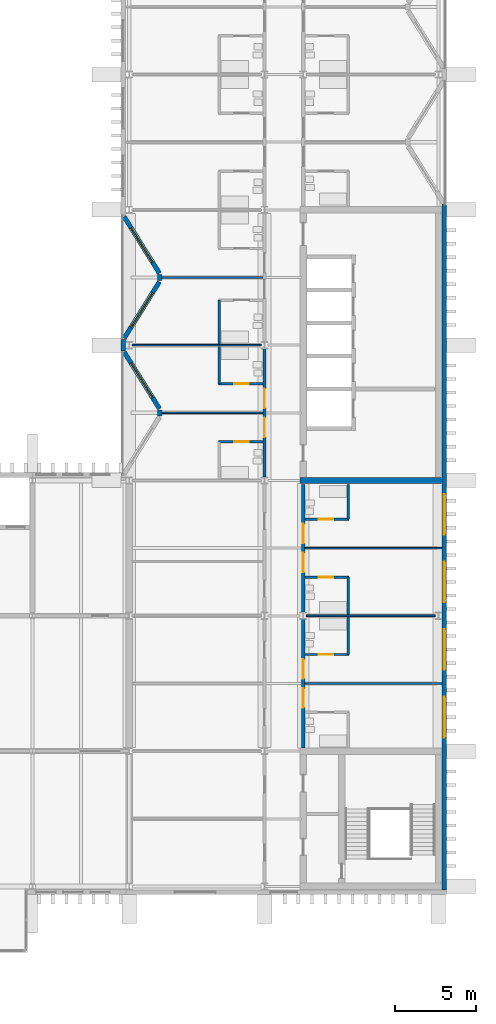
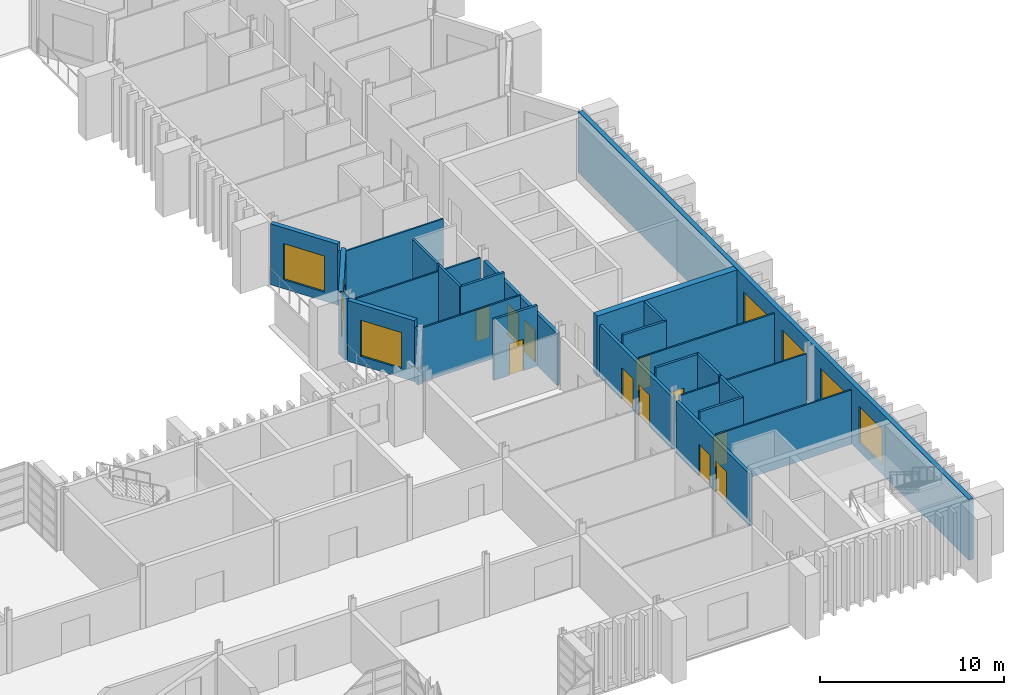
# One storey, part 75 of 100: 27 walls, 11 doors, 7 windows, 18 openings.
"""IFC4 building model written with IfcOpenShell, lengths in metres."""

from ifc_helpers import new_model, si_unit, direction, frame, frame_2d, origin, place, context, subcontext, project, spatial, rectangle, extrude, material, layer, layer_set, type_object, element, fill, save


model = new_model("IFC4")

# Units and contexts
model_context = context("Model", 3, precision=1e-05, world=origin(), true_north=direction((0.0, 1.0)))
body_context = subcontext(model_context, "Body", "Model", "MODEL_VIEW")
ifc_project = project(units=[si_unit("LENGTHUNIT", "METRE"), si_unit("AREAUNIT", "SQUARE_METRE"), si_unit("VOLUMEUNIT", "CUBIC_METRE"), si_unit("PLANEANGLEUNIT", "RADIAN"), si_unit("MASSUNIT", "GRAM", prefix="KILO")], contexts=[model_context])

# Site, building, storey
site_placement = place(None, origin())
site = spatial("IfcSite", under=ifc_project, at=site_placement, CompositionType="ELEMENT")
building_placement = place(site_placement, origin())
building = spatial("IfcBuilding", under=site, at=building_placement, Name="Cresset Court Congress Hotel", CompositionType="ELEMENT")
storey_placement = place(building_placement, frame((0.0, 0.0, 10.199951171875)))
storey = spatial("IfcBuildingStorey", under=building, at=storey_placement, Name="L02", CompositionType="ELEMENT", Elevation=10.199951171875)

# Wall, openings, doors
ifc_material_1 = material(Name="Gypsum board partition")
ifc_layer_1 = layer(ifc_material_1, 0.199951171875)
ifc_layer_set_1 = layer_set([ifc_layer_1], Name="Corridor wall 200")
wall_type_1 = type_object("IfcWallType", Name="Corridor wall 200", PredefinedType="PARTITIONING", material=ifc_layer_set_1)
wall_1_placement = place(storey_placement, frame((165.60009765625, 25.406982421875, 0.0), z_axis=(0.0, 0.0, 1.0), x_axis=(0.0, 1.0, 0.0)))
wall_1 = element("IfcWall", 1, at=wall_1_placement, inside=storey, type_object=wall_type_1, Name="A.wl.L02.064", PredefinedType="PARTITIONING", context=body_context, shape_type="SweptSolid", body=[
    extrude(rectangle(XDim=7.986083984375, YDim=0.199951171875, at=frame_2d((3.9931640625, 0.0))), origin(), (0.0, 0.0, 1.0), 3.449951171875),
])
opening_1_placement = place(wall_1_placement, frame((2.492919921875, 0.0, 0.0)))
opening_1 = element("IfcOpeningElement", 2, at=opening_1_placement, cuts=wall_1, Name="Opening DA-02-08", PredefinedType="OPENING", context=body_context, shape_type="SweptSolid", body=[
    extrude(rectangle(XDim=1.199951171875, YDim=2.10009765625, at=frame_2d((0.60009765625, 1.050048828125))), frame((0.0, 0.10986328125, 0.0), z_axis=(0.0, -1.0, 0.0), x_axis=(1.0, 0.0, 0.0)), (0.0, 0.0, 1.0), 0.219970703125),
])
opening_2_placement = place(wall_1_placement, frame((4.29296875, 0.0, 0.0)))
opening_2 = element("IfcOpeningElement", 3, at=opening_2_placement, cuts=wall_1, Name="Opening DA-02-10", PredefinedType="OPENING", context=body_context, shape_type="SweptSolid", body=[
    extrude(rectangle(XDim=1.199951171875, YDim=2.10009765625, at=frame_2d((0.60009765625, 1.050048828125))), frame((0.0, 0.10986328125, 0.0), z_axis=(0.0, -1.0, 0.0), x_axis=(1.0, 0.0, 0.0)), (0.0, 0.0, 1.0), 0.219970703125),
])
ifc_material_2 = material(Name="timber", Category="wood")
door_type_1 = type_object("IfcDoorType", Name="Guest-room entry door 1200x2100 FD30S", OperationType="SINGLE_SWING_LEFT", PredefinedType="DOOR", material=ifc_material_2)
door_1_placement = place(opening_1_placement, origin())
door_1 = element("IfcDoor", 4, at=door_1_placement, inside=storey, type_object=door_type_1, Name="Door DA-02-08", OperationType="SINGLE_SWING_RIGHT", OverallHeight=2.10009765625, OverallWidth=1.199951171875, PredefinedType="DOOR", context=body_context, shape_type="SweptSolid", body=[
    extrude(rectangle(XDim=1.199951171875, YDim=2.10009765625, at=frame_2d((0.60009765625, 1.050048828125))), frame((0.0, 0.02490234375, 0.0), z_axis=(0.0, -1.0, 0.0), x_axis=(1.0, 0.0, 0.0)), (0.0, 0.0, 1.0), 0.050048828125),
])
fill(opening_1, door_1)
door_2_placement = place(opening_2_placement, origin())
door_2 = element("IfcDoor", 5, at=door_2_placement, inside=storey, type_object=door_type_1, Name="Door DA-02-10", OperationType="SINGLE_SWING_LEFT", OverallHeight=2.10009765625, OverallWidth=1.199951171875, PredefinedType="DOOR", context=body_context, shape_type="SweptSolid", body=[
    extrude(rectangle(XDim=1.199951171875, YDim=2.10009765625, at=frame_2d((0.60009765625, 1.050048828125))), frame((0.0, 0.02490234375, 0.0), z_axis=(0.0, -1.0, 0.0), x_axis=(1.0, 0.0, 0.0)), (0.0, 0.0, 1.0), 0.050048828125),
])
fill(opening_2, door_2)

wall_2_placement = place(storey_placement, frame((168.0, 8.60009765625, 0.0), z_axis=(0.0, 0.0, 1.0), x_axis=(0.0, 1.0, 0.0)))
wall_2 = element("IfcWall", 6, at=wall_2_placement, inside=storey, type_object=wall_type_1, Name="A.wl.L02.069", PredefinedType="PARTITIONING", context=body_context, shape_type="SweptSolid", body=[
    extrude(rectangle(XDim=7.992919921875, YDim=0.199951171875, at=frame_2d((3.99658203125, 0.0))), origin(), (0.0, 0.0, 1.0), 3.449951171875),
])
opening_3_placement = place(wall_2_placement, frame((2.5, 0.0, 0.0)))
opening_3 = element("IfcOpeningElement", 7, at=opening_3_placement, cuts=wall_2, Name="Opening DA-02-28", PredefinedType="OPENING", context=body_context, shape_type="SweptSolid", body=[
    extrude(rectangle(XDim=1.199951171875, YDim=2.10009765625, at=frame_2d((0.60009765625, 1.050048828125))), frame((0.0, 0.10986328125, 0.0), z_axis=(0.0, -1.0, 0.0), x_axis=(1.0, 0.0, 0.0)), (0.0, 0.0, 1.0), 0.219970703125),
])
opening_4_placement = place(wall_2_placement, frame((4.300048828125, 0.0, 0.0)))
opening_4 = element("IfcOpeningElement", 8, at=opening_4_placement, cuts=wall_2, Name="Opening DA-02-30", PredefinedType="OPENING", context=body_context, shape_type="SweptSolid", body=[
    extrude(rectangle(XDim=1.199951171875, YDim=2.10009765625, at=frame_2d((0.60009765625, 1.050048828125))), frame((0.0, 0.10986328125, 0.0), z_axis=(0.0, -1.0, 0.0), x_axis=(1.0, 0.0, 0.0)), (0.0, 0.0, 1.0), 0.219970703125),
])
door_3_placement = place(opening_3_placement, origin())
door_3 = element("IfcDoor", 9, at=door_3_placement, inside=storey, type_object=door_type_1, Name="Door DA-02-28", OperationType="SINGLE_SWING_RIGHT", OverallHeight=2.10009765625, OverallWidth=1.199951171875, PredefinedType="DOOR", context=body_context, shape_type="SweptSolid", body=[
    extrude(rectangle(XDim=1.199951171875, YDim=2.10009765625, at=frame_2d((0.60009765625, 1.050048828125))), frame((0.0, 0.02490234375, 0.0), z_axis=(0.0, -1.0, 0.0), x_axis=(1.0, 0.0, 0.0)), (0.0, 0.0, 1.0), 0.050048828125),
])
fill(opening_3, door_3)
door_4_placement = place(opening_4_placement, origin())
door_4 = element("IfcDoor", 10, at=door_4_placement, inside=storey, type_object=door_type_1, Name="Door DA-02-30", OperationType="SINGLE_SWING_LEFT", OverallHeight=2.10009765625, OverallWidth=1.199951171875, PredefinedType="DOOR", context=body_context, shape_type="SweptSolid", body=[
    extrude(rectangle(XDim=1.199951171875, YDim=2.10009765625, at=frame_2d((0.60009765625, 1.050048828125))), frame((0.0, 0.02490234375, 0.0), z_axis=(0.0, -1.0, 0.0), x_axis=(1.0, 0.0, 0.0)), (0.0, 0.0, 1.0), 0.050048828125),
])
fill(opening_4, door_4)

wall_3_placement = place(storey_placement, frame((168.0, 17.007080078125, 0.0), z_axis=(0.0, 0.0, 1.0), x_axis=(0.0, 1.0, 0.0)))
wall_3 = element("IfcWall", 11, at=wall_3_placement, inside=storey, type_object=wall_type_1, Name="A.wl.L02.070", PredefinedType="PARTITIONING", context=body_context, shape_type="SweptSolid", body=[
    extrude(rectangle(XDim=7.94287109375, YDim=0.199951171875, at=frame_2d((3.971435546875, 0.0))), origin(), (0.0, 0.0, 1.0), 3.449951171875),
])
opening_5_placement = place(wall_3_placement, frame((2.492919921875, 0.0, 0.0)))
opening_5 = element("IfcOpeningElement", 12, at=opening_5_placement, cuts=wall_3, Name="Opening DA-02-32", PredefinedType="OPENING", context=body_context, shape_type="SweptSolid", body=[
    extrude(rectangle(XDim=1.199951171875, YDim=2.10009765625, at=frame_2d((0.60009765625, 1.050048828125))), frame((0.0, 0.10986328125, 0.0), z_axis=(0.0, -1.0, 0.0), x_axis=(1.0, 0.0, 0.0)), (0.0, 0.0, 1.0), 0.219970703125),
])
opening_6_placement = place(wall_3_placement, frame((4.29296875, 0.0, 0.0)))
opening_6 = element("IfcOpeningElement", 13, at=opening_6_placement, cuts=wall_3, Name="Opening DA-02-34", PredefinedType="OPENING", context=body_context, shape_type="SweptSolid", body=[
    extrude(rectangle(XDim=1.199951171875, YDim=2.10009765625, at=frame_2d((0.60009765625, 1.050048828125))), frame((0.0, 0.10986328125, 0.0), z_axis=(0.0, -1.0, 0.0), x_axis=(1.0, 0.0, 0.0)), (0.0, 0.0, 1.0), 0.219970703125),
])
door_5_placement = place(opening_5_placement, origin())
door_5 = element("IfcDoor", 14, at=door_5_placement, inside=storey, type_object=door_type_1, Name="Door DA-02-32", OperationType="SINGLE_SWING_RIGHT", OverallHeight=2.10009765625, OverallWidth=1.199951171875, PredefinedType="DOOR", context=body_context, shape_type="SweptSolid", body=[
    extrude(rectangle(XDim=1.199951171875, YDim=2.10009765625, at=frame_2d((0.60009765625, 1.050048828125))), frame((0.0, 0.02490234375, 0.0), z_axis=(0.0, -1.0, 0.0), x_axis=(1.0, 0.0, 0.0)), (0.0, 0.0, 1.0), 0.050048828125),
])
fill(opening_5, door_5)
door_6_placement = place(opening_6_placement, origin())
door_6 = element("IfcDoor", 15, at=door_6_placement, inside=storey, type_object=door_type_1, Name="Door DA-02-34", OperationType="SINGLE_SWING_LEFT", OverallHeight=2.10009765625, OverallWidth=1.199951171875, PredefinedType="DOOR", context=body_context, shape_type="SweptSolid", body=[
    extrude(rectangle(XDim=1.199951171875, YDim=2.10009765625, at=frame_2d((0.60009765625, 1.050048828125))), frame((0.0, 0.02490234375, 0.0), z_axis=(0.0, -1.0, 0.0), x_axis=(1.0, 0.0, 0.0)), (0.0, 0.0, 1.0), 0.050048828125),
])
fill(opening_6, door_6)

# Wall, opening, door
ifc_material_3 = material(Name="Gypsum board partition")
ifc_layer_2 = layer(ifc_material_3, 0.14990234375)
ifc_layer_set_2 = layer_set([ifc_layer_2], Name="En-suite wall 150")
wall_type_2 = type_object("IfcWallType", Name="En-suite wall 150", PredefinedType="PARTITIONING", material=ifc_layer_set_2)
wall_4_placement = place(storey_placement, frame((162.75, 27.60009765625, 0.0), z_axis=(0.0, 0.0, 1.0), x_axis=(1.0, 0.0, 0.0)))
wall_4 = element("IfcWall", 16, at=wall_4_placement, inside=storey, type_object=wall_type_2, Name="A.wl.L02.002", PredefinedType="PARTITIONING", context=body_context, shape_type="SweptSolid", body=[
    extrude(rectangle(XDim=2.75, YDim=0.14990234375, at=frame_2d((1.375, 0.0))), origin(), (0.0, 0.0, 1.0), 4.050048828125),
])
opening_7_placement = place(wall_4_placement, frame((0.97998046875, 0.0, 0.0)))
opening_7 = element("IfcOpeningElement", 17, at=opening_7_placement, cuts=wall_4, Name="Opening DA-02-07", PredefinedType="OPENING", context=body_context, shape_type="SweptSolid", body=[
    extrude(rectangle(XDim=0.89990234375, YDim=2.10009765625, at=frame_2d((0.449951171875, 1.050048828125))), frame((0.0, 0.0849609375, 0.0), z_axis=(0.0, -1.0, 0.0), x_axis=(1.0, 0.0, 0.0)), (0.0, 0.0, 1.0), 0.169921875),
])
ifc_material_4 = material(Name="timber", Category="wood")
door_type_2 = type_object("IfcDoorType", Name="En-suite door 900x2100", OperationType="SINGLE_SWING_LEFT", PredefinedType="DOOR", material=ifc_material_4)
door_7_placement = place(opening_7_placement, origin())
door_7 = element("IfcDoor", 18, at=door_7_placement, inside=storey, type_object=door_type_2, Name="Door DA-02-07", OperationType="SINGLE_SWING_RIGHT", OverallHeight=2.10009765625, OverallWidth=0.89990234375, PredefinedType="DOOR", context=body_context, shape_type="SweptSolid", body=[
    extrude(rectangle(XDim=0.89990234375, YDim=2.10009765625, at=frame_2d((0.449951171875, 1.050048828125))), frame((0.0, 0.02490234375, 0.0), z_axis=(0.0, -1.0, 0.0), x_axis=(1.0, 0.0, 0.0)), (0.0, 0.0, 1.0), 0.050048828125),
])
fill(opening_7, door_7)

# Wall
wall_5_placement = place(storey_placement, frame((162.800048828125, 31.199951171875, 0.0), z_axis=(0.0, 0.0, 1.0), x_axis=(0.0, 1.0, 0.0)))
element("IfcWall", 19, at=wall_5_placement, inside=storey, type_object=wall_type_2, Name="A.wl.L02.003", PredefinedType="PARTITIONING", context=body_context, shape_type="SweptSolid", body=[
    extrude(rectangle(XDim=2.324951171875, YDim=0.14990234375, at=frame_2d((1.16259765625, 0.0))), origin(), (0.0, 0.0, 1.0), 4.050048828125),
])

# Wall, opening, door
wall_6_placement = place(storey_placement, frame((162.75, 31.199951171875, 0.0), z_axis=(0.0, 0.0, 1.0), x_axis=(1.0, 0.0, 0.0)))
wall_6 = element("IfcWall", 20, at=wall_6_placement, inside=storey, type_object=wall_type_2, Name="A.wl.L02.004", PredefinedType="PARTITIONING", context=body_context, shape_type="SweptSolid", body=[
    extrude(rectangle(XDim=2.75, YDim=0.14990234375, at=frame_2d((1.375, 0.0))), origin(), (0.0, 0.0, 1.0), 4.050048828125),
])
opening_8_placement = place(wall_6_placement, frame((0.97998046875, 0.0, 0.0)))
opening_8 = element("IfcOpeningElement", 21, at=opening_8_placement, cuts=wall_6, Name="Opening DA-02-09", PredefinedType="OPENING", context=body_context, shape_type="SweptSolid", body=[
    extrude(rectangle(XDim=0.89990234375, YDim=2.10009765625, at=frame_2d((0.449951171875, 1.050048828125))), frame((0.0, 0.0849609375, 0.0), z_axis=(0.0, -1.0, 0.0), x_axis=(1.0, 0.0, 0.0)), (0.0, 0.0, 1.0), 0.169921875),
])
door_8_placement = place(opening_8_placement, origin())
door_8 = element("IfcDoor", 22, at=door_8_placement, inside=storey, type_object=door_type_2, Name="Door DA-02-09", OperationType="SINGLE_SWING_LEFT", OverallHeight=2.10009765625, OverallWidth=0.89990234375, PredefinedType="DOOR", context=body_context, shape_type="SweptSolid", body=[
    extrude(rectangle(XDim=0.89990234375, YDim=2.10009765625, at=frame_2d((0.449951171875, 1.050048828125))), frame((0.0, 0.02490234375, 0.0), z_axis=(0.0, -1.0, 0.0), x_axis=(1.0, 0.0, 0.0)), (0.0, 0.0, 1.0), 0.050048828125),
])
fill(opening_8, door_8)

# Walls
wall_7_placement = place(storey_placement, frame((162.800048828125, 33.675048828125, 0.0), z_axis=(0.0, 0.0, 1.0), x_axis=(0.0, 1.0, 0.0)))
element("IfcWall", 23, at=wall_7_placement, inside=storey, type_object=wall_type_2, Name="A.wl.L02.005", PredefinedType="PARTITIONING", context=body_context, shape_type="SweptSolid", body=[
    extrude(rectangle(XDim=2.724853515625, YDim=0.14990234375, at=frame_2d((1.3623046875, 0.0))), origin(), (0.0, 0.0, 1.0), 4.050048828125),
])
wall_8_placement = place(storey_placement, frame((170.800048828125, 14.39990234375, 0.0), z_axis=(0.0, 0.0, 1.0), x_axis=(0.0, 1.0, 0.0)))
element("IfcWall", 24, at=wall_8_placement, inside=storey, type_object=wall_type_2, Name="A.wl.L02.023", PredefinedType="PARTITIONING", context=body_context, shape_type="SweptSolid", body=[
    extrude(rectangle(XDim=2.3251953125, YDim=0.14990234375, at=frame_2d((1.16259765625, 0.0))), origin(), (0.0, 0.0, 1.0), 4.050048828125),
])

# Wall, opening, door
wall_9_placement = place(storey_placement, frame((170.85009765625, 14.39990234375, 0.0), z_axis=(0.0, 0.0, 1.0), x_axis=(-1.0, 0.0, 0.0)))
wall_9 = element("IfcWall", 25, at=wall_9_placement, inside=storey, type_object=wall_type_2, Name="A.wl.L02.024", PredefinedType="PARTITIONING", context=body_context, shape_type="SweptSolid", body=[
    extrude(rectangle(XDim=2.75, YDim=0.14990234375, at=frame_2d((1.375, 0.0))), origin(), (0.0, 0.0, 1.0), 4.050048828125),
])
opening_9_placement = place(wall_9_placement, frame((0.97998046875, 0.0, 0.0)))
opening_9 = element("IfcOpeningElement", 26, at=opening_9_placement, cuts=wall_9, Name="Opening DA-02-29", PredefinedType="OPENING", context=body_context, shape_type="SweptSolid", body=[
    extrude(rectangle(XDim=0.89990234375, YDim=2.10009765625, at=frame_2d((0.449951171875, 1.050048828125))), frame((0.0, 0.0849609375, 0.0), z_axis=(0.0, -1.0, 0.0), x_axis=(1.0, 0.0, 0.0)), (0.0, 0.0, 1.0), 0.169921875),
])
door_9_placement = place(opening_9_placement, origin())
door_9 = element("IfcDoor", 27, at=door_9_placement, inside=storey, type_object=door_type_2, Name="Door DA-02-29", OperationType="SINGLE_SWING_LEFT", OverallHeight=2.10009765625, OverallWidth=0.89990234375, PredefinedType="DOOR", context=body_context, shape_type="SweptSolid", body=[
    extrude(rectangle(XDim=0.89990234375, YDim=2.10009765625, at=frame_2d((0.449951171875, 1.050048828125))), frame((0.0, 0.02490234375, 0.0), z_axis=(0.0, -1.0, 0.0), x_axis=(1.0, 0.0, 0.0)), (0.0, 0.0, 1.0), 0.050048828125),
])
fill(opening_9, door_9)

# Wall
wall_10_placement = place(storey_placement, frame((170.800048828125, 16.875, 0.0), z_axis=(0.0, 0.0, 1.0), x_axis=(0.0, 1.0, 0.0)))
element("IfcWall", 28, at=wall_10_placement, inside=storey, type_object=wall_type_2, Name="A.wl.L02.025", PredefinedType="PARTITIONING", context=body_context, shape_type="SweptSolid", body=[
    extrude(rectangle(XDim=2.324951171875, YDim=0.14990234375, at=frame_2d((1.16259765625, 0.0))), origin(), (0.0, 0.0, 1.0), 4.050048828125),
])

# Wall, opening, door
wall_11_placement = place(storey_placement, frame((170.85009765625, 19.199951171875, 0.0), z_axis=(0.0, 0.0, 1.0), x_axis=(-1.0, 0.0, 0.0)))
wall_11 = element("IfcWall", 29, at=wall_11_placement, inside=storey, type_object=wall_type_2, Name="A.wl.L02.026", PredefinedType="PARTITIONING", context=body_context, shape_type="SweptSolid", body=[
    extrude(rectangle(XDim=2.75, YDim=0.14990234375, at=frame_2d((1.375, 0.0))), origin(), (0.0, 0.0, 1.0), 4.050048828125),
])
opening_10_placement = place(wall_11_placement, frame((0.97998046875, 0.0, 0.0)))
opening_10 = element("IfcOpeningElement", 30, at=opening_10_placement, cuts=wall_11, Name="Opening DA-02-31", PredefinedType="OPENING", context=body_context, shape_type="SweptSolid", body=[
    extrude(rectangle(XDim=0.89990234375, YDim=2.10009765625, at=frame_2d((0.449951171875, 1.050048828125))), frame((0.0, 0.0849609375, 0.0), z_axis=(0.0, -1.0, 0.0), x_axis=(1.0, 0.0, 0.0)), (0.0, 0.0, 1.0), 0.169921875),
])
door_10_placement = place(opening_10_placement, origin())
door_10 = element("IfcDoor", 31, at=door_10_placement, inside=storey, type_object=door_type_2, Name="Door DA-02-31", OperationType="SINGLE_SWING_RIGHT", OverallHeight=2.10009765625, OverallWidth=0.89990234375, PredefinedType="DOOR", context=body_context, shape_type="SweptSolid", body=[
    extrude(rectangle(XDim=0.89990234375, YDim=2.10009765625, at=frame_2d((0.449951171875, 1.050048828125))), frame((0.0, 0.02490234375, 0.0), z_axis=(0.0, -1.0, 0.0), x_axis=(1.0, 0.0, 0.0)), (0.0, 0.0, 1.0), 0.050048828125),
])
fill(opening_10, door_10)

# Wall
wall_12_placement = place(storey_placement, frame((170.800048828125, 22.800048828125, 0.0), z_axis=(0.0, 0.0, 1.0), x_axis=(0.0, 1.0, 0.0)))
element("IfcWall", 32, at=wall_12_placement, inside=storey, type_object=wall_type_2, Name="A.wl.L02.027", PredefinedType="PARTITIONING", context=body_context, shape_type="SweptSolid", body=[
    extrude(rectangle(XDim=2.14990234375, YDim=0.14990234375, at=frame_2d((1.074951171875, 0.0))), origin(), (0.0, 0.0, 1.0), 4.050048828125),
])

# Wall, opening, door
wall_13_placement = place(storey_placement, frame((170.85009765625, 22.800048828125, 0.0), z_axis=(0.0, 0.0, 1.0), x_axis=(-1.0, 0.0, 0.0)))
wall_13 = element("IfcWall", 33, at=wall_13_placement, inside=storey, type_object=wall_type_2, Name="A.wl.L02.028", PredefinedType="PARTITIONING", context=body_context, shape_type="SweptSolid", body=[
    extrude(rectangle(XDim=2.75, YDim=0.14990234375, at=frame_2d((1.375, 0.0))), origin(), (0.0, 0.0, 1.0), 4.050048828125),
])
opening_11_placement = place(wall_13_placement, frame((0.97998046875, 0.0, 0.0)))
opening_11 = element("IfcOpeningElement", 34, at=opening_11_placement, cuts=wall_13, Name="Opening DA-02-33", PredefinedType="OPENING", context=body_context, shape_type="SweptSolid", body=[
    extrude(rectangle(XDim=0.89990234375, YDim=2.10009765625, at=frame_2d((0.449951171875, 1.050048828125))), frame((0.0, 0.0849609375, 0.0), z_axis=(0.0, -1.0, 0.0), x_axis=(1.0, 0.0, 0.0)), (0.0, 0.0, 1.0), 0.169921875),
])
door_11_placement = place(opening_11_placement, origin())
door_11 = element("IfcDoor", 35, at=door_11_placement, inside=storey, type_object=door_type_2, Name="Door DA-02-33", OperationType="SINGLE_SWING_LEFT", OverallHeight=2.10009765625, OverallWidth=0.89990234375, PredefinedType="DOOR", context=body_context, shape_type="SweptSolid", body=[
    extrude(rectangle(XDim=0.89990234375, YDim=2.10009765625, at=frame_2d((0.449951171875, 1.050048828125))), frame((0.0, 0.02490234375, 0.0), z_axis=(0.0, -1.0, 0.0), x_axis=(1.0, 0.0, 0.0)), (0.0, 0.0, 1.0), 0.050048828125),
])
fill(opening_11, door_11)

# Wall, opening, window
ifc_material_5 = material(Name="Precast concrete C50", Category="concrete")
ifc_layer_3 = layer(ifc_material_5, 0.280029296875)
ifc_layer_set_3 = layer_set([ifc_layer_3], Name="External wall 280")
wall_type_3 = type_object("IfcWallType", Name="External wall 280", PredefinedType="SOLIDWALL", material=ifc_layer_set_3)
wall_14_placement = place(storey_placement, frame((159.07861328125, 29.658935546875, 0.0), z_axis=(0.0, 0.0, 1.0), x_axis=(-0.529018946142, 0.848610013271, 0.0)))
wall_14 = element("IfcWall", 36, at=wall_14_placement, inside=storey, type_object=wall_type_3, Name="A.ew.L02.Wn.3.1", PredefinedType="SOLIDWALL", context=body_context, shape_type="SweptSolid", body=[
    extrude(rectangle(XDim=4.144287109375, YDim=0.280029296875, at=frame_2d((2.072265625, 0.0))), origin(), (0.0, 0.0, 1.0), 4.050048828125),
])
opening_12_placement = place(wall_14_placement, frame((0.812255859375, 0.0, 0.60009765625)))
opening_12 = element("IfcOpeningElement", 37, at=opening_12_placement, cuts=wall_14, Name="Opening NA-02-02", PredefinedType="OPENING", context=body_context, shape_type="SweptSolid", body=[
    extrude(rectangle(XDim=2.52001953125, YDim=2.39990234375, at=frame_2d((1.260009765625, 1.199951171875))), frame((0.0, 0.14990234375, 0.0), z_axis=(0.0, -1.0, 0.0), x_axis=(1.0, 0.0, 0.0)), (0.0, 0.0, 1.0), 0.300048828125),
])
ifc_material_6 = material(Name="Aluminium and glass", Category="aluminium")
window_type_1 = type_object("IfcWindowType", Name="Window 2520x2400", PartitioningType="SINGLE_PANEL", PredefinedType="WINDOW", material=ifc_material_6)
window_1_placement = place(opening_12_placement, origin())
window_1 = element("IfcWindow", 38, at=window_1_placement, inside=storey, type_object=window_type_1, Name="Window NA-02-02", OverallHeight=2.39990234375, OverallWidth=2.52001953125, PartitioningType="SINGLE_PANEL", PredefinedType="WINDOW", context=body_context, shape_type="SweptSolid", body=[
    extrude(rectangle(XDim=2.52001953125, YDim=2.39990234375, at=frame_2d((1.260009765625, 1.199951171875))), frame((0.0, 0.030029296875, 0.0), z_axis=(0.0, -1.0, 0.0), x_axis=(1.0, 0.0, 0.0)), (0.0, 0.0, 1.0), 0.06005859375),
])
fill(opening_12, window_1)

# Walls
wall_15_placement = place(storey_placement, frame((159.099609375, 29.215087890625, 0.0), z_axis=(0.0, 0.0, 1.0), x_axis=(0.0, 1.0, 0.0)))
element("IfcWall", 39, at=wall_15_placement, inside=storey, type_object=wall_type_3, Name="A.ew.L02.Wn.3.2", PredefinedType="SOLIDWALL", context=body_context, shape_type="SweptSolid", body=[
    extrude(rectangle(XDim=0.369873046875, YDim=0.280029296875, at=frame_2d((0.18505859375, 0.0))), origin(), (0.0, 0.0, 1.0), 3.60400390625),
])
wall_16_placement = place(storey_placement, frame((156.840087890625, 33.25, 0.0), z_axis=(0.0, 0.0, 1.0), x_axis=(0.0, 1.0, 0.0)))
element("IfcWall", 40, at=wall_16_placement, inside=storey, type_object=wall_type_3, Name="A.ew.L02.W.2", PredefinedType="SOLIDWALL", context=body_context, shape_type="SweptSolid", body=[
    extrude(rectangle(XDim=0.699951171875, YDim=0.280029296875, at=frame_2d((0.35009765625, 0.0))), origin(), (0.0, 0.0, 1.0), 4.050048828125),
])

# Wall, opening, window
wall_17_placement = place(storey_placement, frame((156.88623046875, 34.024169921875, 0.0), z_axis=(0.0, 0.0, 1.0), x_axis=(0.529018946142, 0.848610013271, 0.0)))
wall_17 = element("IfcWall", 41, at=wall_17_placement, inside=storey, type_object=wall_type_3, Name="A.ew.L02.Wn.4.0", PredefinedType="SOLIDWALL", context=body_context, shape_type="SweptSolid", body=[
    extrude(rectangle(XDim=4.144287109375, YDim=0.280029296875, at=frame_2d((2.072265625, 0.0))), origin(), (0.0, 0.0, 1.0), 4.050048828125),
])
opening_13_placement = place(wall_17_placement, frame((0.812255859375, 0.0, 0.449951171875)))
opening_13 = element("IfcOpeningElement", 42, at=opening_13_placement, cuts=wall_17, Name="Opening NA-02-03", PredefinedType="OPENING", context=body_context, shape_type="SweptSolid", body=[
    extrude(rectangle(XDim=2.52001953125, YDim=2.10009765625, at=frame_2d((1.260009765625, 1.050048828125))), frame((0.0, 0.14990234375, 0.0), z_axis=(0.0, -1.0, 0.0), x_axis=(1.0, 0.0, 0.0)), (0.0, 0.0, 1.0), 0.300048828125),
])
ifc_material_7 = material(Name="Aluminium and glass", Category="aluminium")
window_type_2 = type_object("IfcWindowType", Name="Window 2520x2100", PartitioningType="SINGLE_PANEL", PredefinedType="WINDOW", material=ifc_material_7)
window_2_placement = place(opening_13_placement, origin())
window_2 = element("IfcWindow", 43, at=window_2_placement, inside=storey, type_object=window_type_2, Name="Window NA-02-03", OverallHeight=2.10009765625, OverallWidth=2.52001953125, PartitioningType="SINGLE_PANEL", PredefinedType="WINDOW", context=body_context, shape_type="SweptSolid", body=[
    extrude(rectangle(XDim=2.52001953125, YDim=2.10009765625, at=frame_2d((1.260009765625, 1.050048828125))), frame((0.0, 0.030029296875, 0.0), z_axis=(0.0, -1.0, 0.0), x_axis=(1.0, 0.0, 0.0)), (0.0, 0.0, 1.0), 0.06005859375),
])
fill(opening_13, window_2)

wall_18_placement = place(storey_placement, frame((159.07861328125, 38.05908203125, 0.0), z_axis=(0.0, 0.0, 1.0), x_axis=(-0.529018946142, 0.848610013271, 0.0)))
wall_18 = element("IfcWall", 44, at=wall_18_placement, inside=storey, type_object=wall_type_3, Name="A.ew.L02.Wn.4.1", PredefinedType="SOLIDWALL", context=body_context, shape_type="SweptSolid", body=[
    extrude(rectangle(XDim=4.144287109375, YDim=0.280029296875, at=frame_2d((2.072265625, 0.0))), origin(), (0.0, 0.0, 1.0), 4.050048828125),
])
opening_14_placement = place(wall_18_placement, frame((0.812255859375, 0.0, 0.60009765625)))
opening_14 = element("IfcOpeningElement", 45, at=opening_14_placement, cuts=wall_18, Name="Opening NA-02-04", PredefinedType="OPENING", context=body_context, shape_type="SweptSolid", body=[
    extrude(rectangle(XDim=2.52001953125, YDim=2.39990234375, at=frame_2d((1.260009765625, 1.199951171875))), frame((0.0, 0.14990234375, 0.0), z_axis=(0.0, -1.0, 0.0), x_axis=(1.0, 0.0, 0.0)), (0.0, 0.0, 1.0), 0.300048828125),
])
window_3_placement = place(opening_14_placement, origin())
window_3 = element("IfcWindow", 46, at=window_3_placement, inside=storey, type_object=window_type_1, Name="Window NA-02-04", OverallHeight=2.39990234375, OverallWidth=2.52001953125, PartitioningType="SINGLE_PANEL", PredefinedType="WINDOW", context=body_context, shape_type="SweptSolid", body=[
    extrude(rectangle(XDim=2.52001953125, YDim=2.39990234375, at=frame_2d((1.260009765625, 1.199951171875))), frame((0.0, 0.030029296875, 0.0), z_axis=(0.0, -1.0, 0.0), x_axis=(1.0, 0.0, 0.0)), (0.0, 0.0, 1.0), 0.06005859375),
])
fill(opening_14, window_3)

# Wall
wall_19_placement = place(storey_placement, frame((159.099609375, 37.614990234375, 0.0), z_axis=(0.0, 0.0, 1.0), x_axis=(0.0, 1.0, 0.0)))
element("IfcWall", 47, at=wall_19_placement, inside=storey, type_object=wall_type_3, Name="A.ew.L02.Wn.4.2", PredefinedType="SOLIDWALL", context=body_context, shape_type="SweptSolid", body=[
    extrude(rectangle(XDim=0.369873046875, YDim=0.280029296875, at=frame_2d((0.18505859375, 0.0))), origin(), (0.0, 0.0, 1.0), 3.60400390625),
])

# Wall, openings, windows
wall_20_placement = place(storey_placement, frame((176.760009765625, -0.219970703125, 0.0), z_axis=(0.0, 0.0, 1.0), x_axis=(0.0, 1.0, 0.0)))
wall_20 = element("IfcWall", 48, at=wall_20_placement, inside=storey, type_object=wall_type_3, Name="A.ew.L02.E.1", PredefinedType="SOLIDWALL", context=body_context, shape_type="SweptSolid", body=[
    extrude(rectangle(XDim=42.570068359375, YDim=0.280029296875, at=frame_2d((21.28515625, 0.0))), origin(), (0.0, 0.0, 1.0), 4.050048828125),
])
opening_15_placement = place(wall_20_placement, frame((9.4599609375, 0.0, 0.60009765625)))
opening_15 = element("IfcOpeningElement", 49, at=opening_15_placement, cuts=wall_20, Name="Opening NA-02-11", PredefinedType="OPENING", context=body_context, shape_type="SweptSolid", body=[
    extrude(rectangle(XDim=2.52001953125, YDim=2.39990234375, at=frame_2d((1.260009765625, 1.199951171875))), frame((0.0, 0.14990234375, 0.0), z_axis=(0.0, -1.0, 0.0), x_axis=(1.0, 0.0, 0.0)), (0.0, 0.0, 1.0), 0.300048828125),
])
opening_16_placement = place(wall_20_placement, frame((13.659912109375, 0.0, 0.60009765625)))
opening_16 = element("IfcOpeningElement", 50, at=opening_16_placement, cuts=wall_20, Name="Opening NA-02-12", PredefinedType="OPENING", context=body_context, shape_type="SweptSolid", body=[
    extrude(rectangle(XDim=2.52001953125, YDim=2.39990234375, at=frame_2d((1.260009765625, 1.199951171875))), frame((0.0, 0.14990234375, 0.0), z_axis=(0.0, -1.0, 0.0), x_axis=(1.0, 0.0, 0.0)), (0.0, 0.0, 1.0), 0.300048828125),
])
opening_17_placement = place(wall_20_placement, frame((17.860107421875, 0.0, 0.60009765625)))
opening_17 = element("IfcOpeningElement", 51, at=opening_17_placement, cuts=wall_20, Name="Opening NA-02-13", PredefinedType="OPENING", context=body_context, shape_type="SweptSolid", body=[
    extrude(rectangle(XDim=2.52001953125, YDim=2.39990234375, at=frame_2d((1.260009765625, 1.199951171875))), frame((0.0, 0.14990234375, 0.0), z_axis=(0.0, -1.0, 0.0), x_axis=(1.0, 0.0, 0.0)), (0.0, 0.0, 1.0), 0.300048828125),
])
opening_18_placement = place(wall_20_placement, frame((22.06005859375, 0.0, 0.60009765625)))
opening_18 = element("IfcOpeningElement", 52, at=opening_18_placement, cuts=wall_20, Name="Opening NA-02-14", PredefinedType="OPENING", context=body_context, shape_type="SweptSolid", body=[
    extrude(rectangle(XDim=2.52001953125, YDim=2.39990234375, at=frame_2d((1.260009765625, 1.199951171875))), frame((0.0, 0.14990234375, 0.0), z_axis=(0.0, -1.0, 0.0), x_axis=(1.0, 0.0, 0.0)), (0.0, 0.0, 1.0), 0.300048828125),
])
window_4_placement = place(opening_15_placement, origin())
window_4 = element("IfcWindow", 53, at=window_4_placement, inside=storey, type_object=window_type_1, Name="Window NA-02-11", OverallHeight=2.39990234375, OverallWidth=2.52001953125, PartitioningType="SINGLE_PANEL", PredefinedType="WINDOW", context=body_context, shape_type="SweptSolid", body=[
    extrude(rectangle(XDim=2.52001953125, YDim=2.39990234375, at=frame_2d((1.260009765625, 1.199951171875))), frame((0.0, 0.030029296875, 0.0), z_axis=(0.0, -1.0, 0.0), x_axis=(1.0, 0.0, 0.0)), (0.0, 0.0, 1.0), 0.06005859375),
])
fill(opening_15, window_4)
window_5_placement = place(opening_16_placement, origin())
window_5 = element("IfcWindow", 54, at=window_5_placement, inside=storey, type_object=window_type_1, Name="Window NA-02-12", OverallHeight=2.39990234375, OverallWidth=2.52001953125, PartitioningType="SINGLE_PANEL", PredefinedType="WINDOW", context=body_context, shape_type="SweptSolid", body=[
    extrude(rectangle(XDim=2.52001953125, YDim=2.39990234375, at=frame_2d((1.260009765625, 1.199951171875))), frame((0.0, 0.030029296875, 0.0), z_axis=(0.0, -1.0, 0.0), x_axis=(1.0, 0.0, 0.0)), (0.0, 0.0, 1.0), 0.06005859375),
])
fill(opening_16, window_5)
window_6_placement = place(opening_17_placement, origin())
window_6 = element("IfcWindow", 55, at=window_6_placement, inside=storey, type_object=window_type_1, Name="Window NA-02-13", OverallHeight=2.39990234375, OverallWidth=2.52001953125, PartitioningType="SINGLE_PANEL", PredefinedType="WINDOW", context=body_context, shape_type="SweptSolid", body=[
    extrude(rectangle(XDim=2.52001953125, YDim=2.39990234375, at=frame_2d((1.260009765625, 1.199951171875))), frame((0.0, 0.030029296875, 0.0), z_axis=(0.0, -1.0, 0.0), x_axis=(1.0, 0.0, 0.0)), (0.0, 0.0, 1.0), 0.06005859375),
])
fill(opening_17, window_6)
window_7_placement = place(opening_18_placement, origin())
window_7 = element("IfcWindow", 56, at=window_7_placement, inside=storey, type_object=window_type_1, Name="Window NA-02-14", OverallHeight=2.39990234375, OverallWidth=2.52001953125, PartitioningType="SINGLE_PANEL", PredefinedType="WINDOW", context=body_context, shape_type="SweptSolid", body=[
    extrude(rectangle(XDim=2.52001953125, YDim=2.39990234375, at=frame_2d((1.260009765625, 1.199951171875))), frame((0.0, 0.030029296875, 0.0), z_axis=(0.0, -1.0, 0.0), x_axis=(1.0, 0.0, 0.0)), (0.0, 0.0, 1.0), 0.06005859375),
])
fill(opening_18, window_7)

# Walls
ifc_material_8 = material(Name="Gypsum board partition")
ifc_layer_4 = layer(ifc_material_8, 0.10009765625)
ifc_layer_set_4 = layer_set([ifc_layer_4], Name="Guest-room partition 100")
wall_type_4 = type_object("IfcWallType", Name="Guest-room partition 100", PredefinedType="PARTITIONING", material=ifc_layer_set_4)
wall_21_placement = place(storey_placement, frame((157.402587890625, 33.60009765625, 0.0), z_axis=(0.0, 0.0, 1.0), x_axis=(1.0, 0.0, 0.0)))
element("IfcWall", 57, at=wall_21_placement, inside=storey, type_object=wall_type_4, Name="A.wl.L02.040", PredefinedType="PARTITIONING", context=body_context, shape_type="SweptSolid", body=[
    extrude(rectangle(XDim=7.994873046875, YDim=0.10009765625, at=frame_2d((3.99755859375, 0.0))), origin(), (0.0, 0.0, 1.0), 3.60400390625),
])
wall_22_placement = place(storey_placement, frame((168.202392578125, 16.800048828125, 0.0), z_axis=(0.0, 0.0, 1.0), x_axis=(1.0, 0.0, 0.0)))
element("IfcWall", 58, at=wall_22_placement, inside=storey, type_object=wall_type_4, Name="A.wl.L02.044", PredefinedType="PARTITIONING", context=body_context, shape_type="SweptSolid", body=[
    extrude(rectangle(XDim=7.9951171875, YDim=0.10009765625, at=frame_2d((3.99755859375, 0.0))), origin(), (0.0, 0.0, 1.0), 3.60400390625),
])
for number, where, z_axis, x_axis, name in (
    (59, (159.23974609375, 29.39990234375, 0.0), (0.0, 0.0, 1.0), (1.0, 0.0, 0.0), "A.wl.L02.049"),
    (60, (159.23974609375, 37.800048828125, 0.0), (0.0, 0.0, 1.0), (1.0, 0.0, 0.0), "A.wl.L02.050"),
):
    element("IfcWall", number, at=place(storey_placement, frame(where, z_axis=z_axis, x_axis=x_axis)), inside=storey, type_object=wall_type_4, Name=name, PredefinedType="PARTITIONING", context=body_context, shape_type="SweptSolid", body=[
        extrude(rectangle(XDim=6.26025390625, YDim=0.10009765625, at=frame_2d((3.130126953125, 0.0))), origin(), (0.0, 0.0, 1.0), 3.60400390625),
    ])
for number, where, z_axis, x_axis, name in (
    (61, (168.10009765625, 12.60009765625, 0.0), (0.0, 0.0, 1.0), (1.0, 0.0, 0.0), "A.wl.L02.054"),
    (62, (168.10009765625, 21.0, 0.0), (0.0, 0.0, 1.0), (1.0, 0.0, 0.0), "A.wl.L02.055"),
):
    element("IfcWall", number, at=place(storey_placement, frame(where, z_axis=z_axis, x_axis=x_axis)), inside=storey, type_object=wall_type_4, Name=name, PredefinedType="PARTITIONING", context=body_context, shape_type="SweptSolid", body=[
        extrude(rectangle(XDim=8.52001953125, YDim=0.10009765625, at=frame_2d((4.260009765625, 0.0))), origin(), (0.0, 0.0, 1.0), 3.60400390625),
    ])
ifc_material_9 = material(Name="Concrete C50", Category="concrete")
ifc_layer_5 = layer(ifc_material_9, 0.39990234375)
ifc_layer_set_5 = layer_set([ifc_layer_5], Name="Lift core wall 400")
wall_type_5 = type_object("IfcWallType", Name="Lift core wall 400", PredefinedType="SOLIDWALL", material=ifc_layer_set_5)
wall_23_placement = place(storey_placement, frame((167.800048828125, 25.199951171875, 0.0), z_axis=(0.0, 0.0, 1.0), x_axis=(1.0, 0.0, 0.0)))
element("IfcWall", 63, at=wall_23_placement, inside=storey, type_object=wall_type_5, Name="A.cw.LC-A.L02.S", PredefinedType="SOLIDWALL", context=body_context, shape_type="SweptSolid", body=[
    extrude(rectangle(XDim=8.800048828125, YDim=0.39990234375, at=frame_2d((4.39990234375, 0.0))), origin(), (0.0, 0.0, 1.0), 4.050048828125),
])

save(model, "model.ifc")
